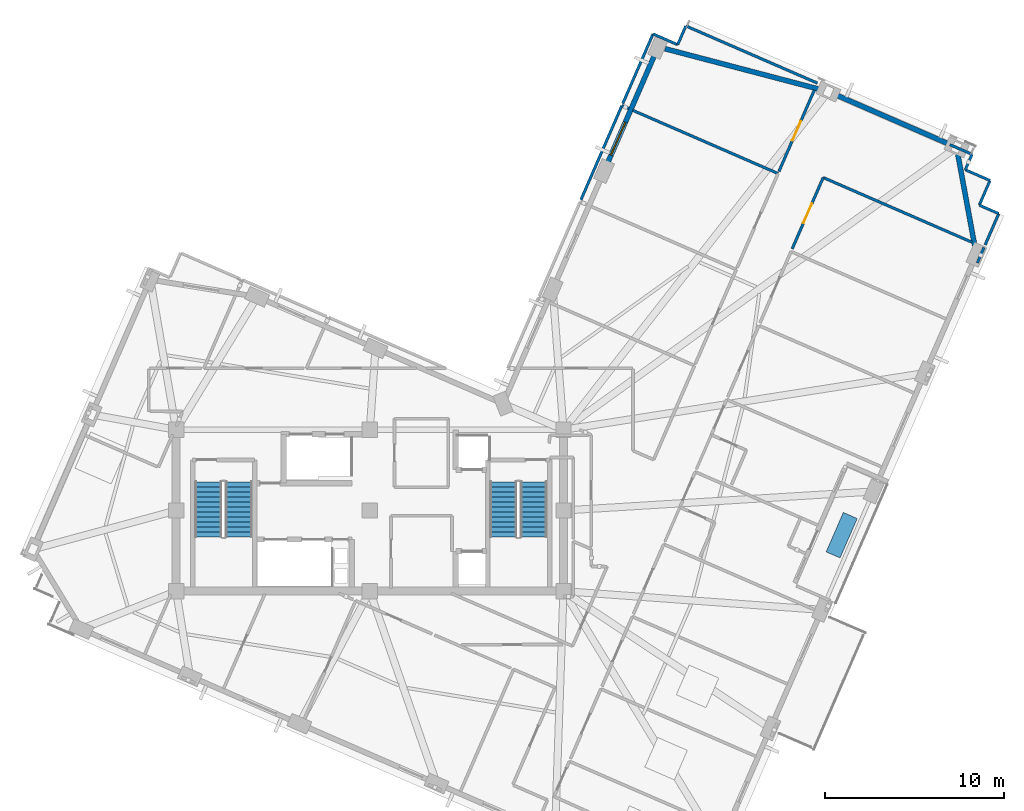
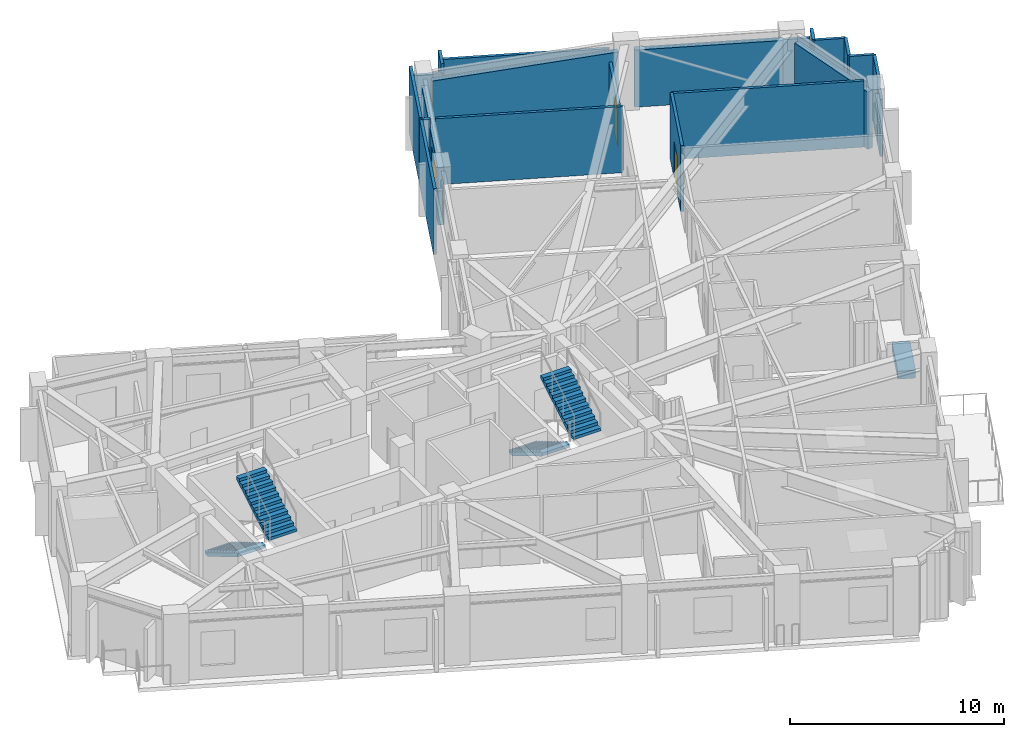
# One storey, part 8 of 11: 21 walls, 4 stair flights, 2 doors, 1 discrete accessory, 1 window, 3 openings, 2 elements without a shape of their own.
"""IFC4 building model written with IfcOpenShell, lengths in metres."""

from ifc_helpers import new_model, si_unit, direction, frame, frame_2d, origin, origin_2d, place, context, subcontext, project, spatial, polyline, rectangle, outline, extrude, material, layer, layer_set, type_object, element, fill, aggregate, save


model = new_model("IFC4")

# Units and contexts
model_context = context("Model", 3, precision=1e-05, world=origin(), true_north=direction((0.0, 1.0)))
body_context = subcontext(model_context, "Body", "Model", "MODEL_VIEW")
ifc_project = project(units=[si_unit("LENGTHUNIT", "METRE"), si_unit("AREAUNIT", "SQUARE_METRE"), si_unit("VOLUMEUNIT", "CUBIC_METRE"), si_unit("PLANEANGLEUNIT", "RADIAN"), si_unit("MASSUNIT", "GRAM", prefix="KILO")], contexts=[model_context])

# Site, building, storey
site_placement = place(None, origin())
site = spatial("IfcSite", under=ifc_project, at=site_placement, CompositionType="ELEMENT")
building_placement = place(site_placement, origin())
building = spatial("IfcBuilding", under=site, at=building_placement, Name="Gaonmaruhae Medical Tower", CompositionType="ELEMENT")
storey_placement = place(building_placement, frame((0.0, 0.0, 324.60009765625)))
storey = spatial("IfcBuildingStorey", under=building, at=storey_placement, Name="L78", CompositionType="ELEMENT", Elevation=324.60009765625)

# Walls
ifc_material_1 = material(Name="Precast concrete C45/55", Category="concrete")
ifc_layer_1 = layer(ifc_material_1, 0.280029296875)
ifc_layer_set_1 = layer_set([ifc_layer_1], Name="Precast concrete C45/55")
wall_type_1 = type_object("IfcWallType", Name="EW-280 Upper Precast Masonry-Frame Facade Wall", PredefinedType="SOLIDWALL", material=ifc_layer_set_1)
wall_1_placement = place(storey_placement, frame((57.597900390625, 32.16162109375, 0.0), z_axis=(0.0, 0.0, 1.0), x_axis=(0.181421889976, -0.983405357845, 0.0)))
element("IfcWall", 1, at=wall_1_placement, inside=storey, type_object=wall_type_1, Name="L78 Precast Masonry-Frame Wall S06-E01", PredefinedType="SOLIDWALL", context=body_context, shape_type="SweptSolid", body=[
    extrude(rectangle(XDim=5.292724609375, YDim=0.280029296875, at=frame_2d((2.646484375, 0.0))), origin(), (0.0, 0.0, 1.0), 3.264892578125),
])
wall_2_placement = place(storey_placement, frame((50.7373046875, 35.50439453125, 0.0), z_axis=(0.0, 0.0, 1.0), x_axis=(0.917057311373, -0.398755423359, 0.0)))
element("IfcWall", 2, at=wall_2_placement, inside=storey, type_object=wall_type_1, Name="L78 Precast Masonry-Frame Wall E01-E02", PredefinedType="SOLIDWALL", context=body_context, shape_type="SweptSolid", body=[
    extrude(rectangle(XDim=7.0048828125, YDim=0.280029296875, at=frame_2d((3.50244140625, 0.0))), origin(), (0.0, 0.0, 1.0), 3.264892578125),
])
wall_3_placement = place(storey_placement, frame((41.263671875, 38.05419921875, 0.0), z_axis=(0.0, 0.0, 1.0), x_axis=(0.967228971308, -0.253905724755, 0.0)))
element("IfcWall", 3, at=wall_3_placement, inside=storey, type_object=wall_type_1, Name="L78 Precast Masonry-Frame Wall E02-E03", PredefinedType="SOLIDWALL", context=body_context, shape_type="SweptSolid", body=[
    extrude(rectangle(XDim=9.020263671875, YDim=0.280029296875, at=frame_2d((4.51025390625, 0.0))), origin(), (0.0, 0.0, 1.0), 3.264892578125),
])

# Wall, opening, window
wall_4_placement = place(storey_placement, frame((38.027099609375, 31.595947265625, 0.0), z_axis=(0.0, 0.0, 1.0), x_axis=(0.398764437463, 0.917053391802, 0.0)))
wall_4 = element("IfcWall", 4, at=wall_4_placement, inside=storey, type_object=wall_type_1, Name="L78 Precast Masonry-Frame Wall E03-EN01", PredefinedType="SOLIDWALL", context=body_context, shape_type="SweptSolid", body=[
    extrude(rectangle(XDim=6.7548828125, YDim=0.280029296875, at=frame_2d((3.37744140625, 0.0))), origin(), (0.0, 0.0, 1.0), 3.264892578125),
])
opening_1_placement = place(wall_4_placement, frame((0.5673828125, 0.0, 0.75)))
opening_1 = element("IfcOpeningElement", 5, at=opening_1_placement, cuts=wall_4, Name="Opening WN-02", PredefinedType="OPENING", context=body_context, shape_type="SweptSolid", body=[
    extrude(rectangle(XDim=2.0, YDim=1.949951171875, at=frame_2d((1.0, 0.97509765625))), frame((0.0, 0.14990234375, 0.0), z_axis=(0.0, -1.0, 0.0), x_axis=(1.0, 0.0, 0.0)), (0.0, 0.0, 1.0), 0.300048828125),
])
ifc_material_2 = material(Name="Anodised aluminium and Low-E double glazing", Category="aluminium")
window_type = type_object("IfcWindowType", Name="WN-02 Double-Bed Ward Punched Window 2000x1950", PartitioningType="SINGLE_PANEL", PredefinedType="WINDOW", material=ifc_material_2)
window_placement = place(opening_1_placement, origin())
window = element("IfcWindow", 6, at=window_placement, inside=storey, type_object=window_type, Name="L78 Modular Facade Window E03", OverallHeight=1.949951171875, OverallWidth=2.0, PartitioningType="SINGLE_PANEL", PredefinedType="WINDOW", context=body_context, shape_type="SweptSolid", body=[
    extrude(rectangle(XDim=2.0, YDim=1.949951171875, at=frame_2d((1.0, 0.97509765625))), frame((0.0, 0.030029296875, 0.0), z_axis=(0.0, -1.0, 0.0), x_axis=(1.0, 0.0, 0.0)), (0.0, 0.0, 1.0), 0.06005859375),
])
fill(opening_1, window)

# Wall, opening, door
ifc_material_3 = material(Name="Gypsum board partition", Category="gypsum")
ifc_layer_2 = layer(ifc_material_3, 0.14990234375)
ifc_layer_set_2 = layer_set([ifc_layer_2], Name="Gypsum board partition")
wall_type_2 = type_object("IfcWallType", Name="PW-150 Rated Clinical Corridor Partition", PredefinedType="PARTITIONING", material=ifc_layer_set_2)
wall_5_placement = place(storey_placement, frame((48.35693359375, 26.888916015625, 0.0), z_axis=(0.0, 0.0, 1.0), x_axis=(0.398639711207, 0.917107616722, 0.0)))
wall_5 = element("IfcWall", 7, at=wall_5_placement, inside=storey, type_object=wall_type_2, Name="L78 Interior Partition L78-SUP06-44", PredefinedType="PARTITIONING", context=body_context, shape_type="SweptSolid", body=[
    extrude(rectangle(XDim=4.339599609375, YDim=0.14990234375, at=frame_2d((2.169921875, 0.0))), origin(), (0.0, 0.0, 1.0), 3.77978515625),
])
opening_2_placement = place(wall_5_placement, frame((1.56982421875, 0.0, 0.0)))
opening_2 = element("IfcOpeningElement", 8, at=opening_2_placement, cuts=wall_5, Name="Opening CD-02", PredefinedType="OPENING", context=body_context, shape_type="SweptSolid", body=[
    extrude(rectangle(XDim=1.199951171875, YDim=2.14990234375, at=frame_2d((0.60009765625, 1.074951171875))), frame((0.0, 0.0849609375, 0.0), z_axis=(0.0, -1.0, 0.0), x_axis=(1.0, 0.0, 0.0)), (0.0, 0.0, 1.0), 0.169921875),
])
ifc_material_4 = material(Name="Antimicrobial laminate timber fire door", Category="wood")
door_type = type_object("IfcDoorType", Name="CD-02 Clinical Treatment & Procedure Door 1200x2150", OperationType="NOTDEFINED", PredefinedType="DOOR", material=ifc_material_4)
door_1_placement = place(opening_2_placement, origin())
door_1 = element("IfcDoor", 9, at=door_1_placement, inside=storey, type_object=door_type, Name="L78 Clinical Biomedical Charting Office Door", OperationType="SINGLE_SWING_LEFT", OverallHeight=2.14990234375, OverallWidth=1.199951171875, PredefinedType="DOOR", context=body_context, shape_type="SweptSolid", body=[
    extrude(rectangle(XDim=1.199951171875, YDim=2.14990234375, at=frame_2d((0.60009765625, 1.074951171875))), frame((0.0, 0.02490234375, 0.0), z_axis=(0.0, -1.0, 0.0), x_axis=(1.0, 0.0, 0.0)), (0.0, 0.0, 1.0), 0.050048828125),
])
fill(opening_2, door_1)

# Walls
wall_6_placement = place(storey_placement, frame((50.0869140625, 30.868896484375, 0.0), z_axis=(0.0, 0.0, 1.0), x_axis=(0.917068340421, -0.398730057805, 0.0)))
element("IfcWall", 10, at=wall_6_placement, inside=storey, type_object=wall_type_2, Name="L78 Interior Partition L78-SUP06-45", PredefinedType="PARTITIONING", context=body_context, shape_type="SweptSolid", body=[
    extrude(rectangle(XDim=9.048583984375, YDim=0.14990234375, at=frame_2d((4.5244140625, 0.0))), origin(), (0.0, 0.0, 1.0), 3.77978515625),
])
wall_7_placement = place(storey_placement, frame((59.055908203125, 26.968994140625, 0.0), z_axis=(0.0, 0.0, 1.0), x_axis=(-0.399259700559, -0.91683787635, 0.0)))
element("IfcWall", 11, at=wall_7_placement, inside=storey, type_object=wall_type_2, Name="L78 Interior Partition L78-SUP06-47", PredefinedType="PARTITIONING", context=body_context, shape_type="SweptSolid", body=[
    extrude(rectangle(XDim=0.936767578125, YDim=0.14990234375, at=frame_2d((0.46826171875, 0.0))), origin(), (0.0, 0.0, 1.0), 3.264892578125),
])
wall_8_placement = place(storey_placement, frame((58.7958984375, 29.3291015625, 0.0), z_axis=(0.0, 0.0, 1.0), x_axis=(0.916839684451, -0.399255548509, 0.0)))
element("IfcWall", 12, at=wall_8_placement, inside=storey, type_object=wall_type_2, Name="L78 Interior Partition L78-BR04-48", PredefinedType="PARTITIONING", context=body_context, shape_type="SweptSolid", body=[
    extrude(rectangle(XDim=1.18017578125, YDim=0.14990234375, at=frame_2d((0.590087890625, 0.0))), origin(), (0.0, 0.0, 1.0), 3.77978515625),
])
wall_9_placement = place(storey_placement, frame((59.8779296875, 28.85791015625, 0.0), z_axis=(0.0, 0.0, 1.0), x_axis=(-0.39892347819, -0.916984219357, 0.0)))
element("IfcWall", 13, at=wall_9_placement, inside=storey, type_object=wall_type_2, Name="L78 Interior Partition L78-BR04-49", PredefinedType="PARTITIONING", context=body_context, shape_type="SweptSolid", body=[
    extrude(rectangle(XDim=1.899658203125, YDim=0.14990234375, at=frame_2d((0.94970703125, 0.0))), origin(), (0.0, 0.0, 1.0), 3.77978515625),
])
wall_10_placement = place(storey_placement, frame((57.156982421875, 32.701904296875, 0.0), z_axis=(0.0, 0.0, 1.0), x_axis=(0.917222637379, -0.398374991032, 0.0)))
element("IfcWall", 14, at=wall_10_placement, inside=storey, type_object=wall_type_2, Name="L78 Interior Partition L78-BR04-53", PredefinedType="PARTITIONING", context=body_context, shape_type="SweptSolid", body=[
    extrude(rectangle(XDim=1.34765625, YDim=0.14990234375, at=frame_2d((0.673828125, 0.0))), origin(), (0.0, 0.0, 1.0), 3.264892578125),
])
wall_11_placement = place(storey_placement, frame((58.39306640625, 32.1650390625, 0.0), z_axis=(0.0, 0.0, 1.0), x_axis=(-0.39889703488, -0.916995722762, 0.0)))
element("IfcWall", 15, at=wall_11_placement, inside=storey, type_object=wall_type_2, Name="L78 Interior Partition L78-BR04-54", PredefinedType="PARTITIONING", context=body_context, shape_type="SweptSolid", body=[
    extrude(rectangle(XDim=0.940185546875, YDim=0.14990234375, at=frame_2d((0.47021484375, 0.0))), origin(), (0.0, 0.0, 1.0), 3.77978515625),
])
wall_12_placement = place(storey_placement, frame((58.01806640625, 31.302978515625, 0.0), z_axis=(0.0, 0.0, 1.0), x_axis=(0.91691738696, -0.399077067107, 0.0)))
element("IfcWall", 16, at=wall_12_placement, inside=storey, type_object=wall_type_2, Name="L78 Interior Partition L78-BR04-55", PredefinedType="PARTITIONING", context=body_context, shape_type="SweptSolid", body=[
    extrude(rectangle(XDim=1.500732421875, YDim=0.14990234375, at=frame_2d((0.75048828125, 0.0))), origin(), (0.0, 0.0, 1.0), 3.77978515625),
])
wall_13_placement = place(storey_placement, frame((59.39404296875, 30.7041015625, 0.0), z_axis=(0.0, 0.0, 1.0), x_axis=(-0.398904712107, -0.916992383097, 0.0)))
element("IfcWall", 17, at=wall_13_placement, inside=storey, type_object=wall_type_2, Name="L78 Interior Partition L78-BR04-56", PredefinedType="PARTITIONING", context=body_context, shape_type="SweptSolid", body=[
    extrude(rectangle(XDim=1.49951171875, YDim=0.14990234375, at=frame_2d((0.749755859375, 0.0))), origin(), (0.0, 0.0, 1.0), 3.77978515625),
])
wall_14_placement = place(storey_placement, frame((36.574951171875, 29.635986328125, 0.0), z_axis=(0.0, 0.0, 1.0), x_axis=(0.398677741034, 0.917091085337, 0.0)))
element("IfcWall", 18, at=wall_14_placement, inside=storey, type_object=wall_type_2, Name="L78 Interior Partition L78-IE05-101", PredefinedType="PARTITIONING", context=body_context, shape_type="SweptSolid", body=[
    extrude(rectangle(XDim=5.721435546875, YDim=0.14990234375, at=frame_2d((2.86083984375, 0.0))), origin(), (0.0, 0.0, 1.0), 3.77978515625),
])
wall_15_placement = place(storey_placement, frame((38.85595703125, 34.883056640625, 0.0), z_axis=(0.0, 0.0, 1.0), x_axis=(0.916543116757, -0.399935888769, 0.0)))
element("IfcWall", 19, at=wall_15_placement, inside=storey, type_object=wall_type_2, Name="L78 Interior Partition L78-IE05-102", PredefinedType="PARTITIONING", context=body_context, shape_type="SweptSolid", body=[
    extrude(rectangle(XDim=0.435302734375, YDim=0.14990234375, at=frame_2d((0.2177734375, 0.0))), origin(), (0.0, 0.0, 1.0), 3.77978515625),
])
wall_16_placement = place(storey_placement, frame((39.466064453125, 34.617919921875, 0.0), z_axis=(0.0, 0.0, 1.0), x_axis=(0.917056875857, -0.398756424957, 0.0)))
element("IfcWall", 20, at=wall_16_placement, inside=storey, type_object=wall_type_2, Name="L78 Interior Partition L78-IE05-103", PredefinedType="PARTITIONING", context=body_context, shape_type="SweptSolid", body=[
    extrude(rectangle(XDim=8.8349609375, YDim=0.14990234375, at=frame_2d((4.41748046875, 0.0))), origin(), (0.0, 0.0, 1.0), 3.77978515625),
])
wall_17_placement = place(storey_placement, frame((41.969970703125, 38.281005859375, 0.0), z_axis=(0.0, 0.0, 1.0), x_axis=(0.398569395059, 0.917138177878, 0.0)))
element("IfcWall", 21, at=wall_17_placement, inside=storey, type_object=wall_type_2, Name="L78 Interior Partition L78-IE06-104", PredefinedType="PARTITIONING", context=body_context, shape_type="SweptSolid", body=[
    extrude(rectangle(XDim=1.139404296875, YDim=0.14990234375, at=frame_2d((0.56982421875, 0.0))), origin(), (0.0, 0.0, 1.0), 3.77978515625),
])
wall_18_placement = place(storey_placement, frame((42.424072265625, 39.325927734375, 0.0), z_axis=(0.0, 0.0, 1.0), x_axis=(0.917071026557, -0.398723879708, 0.0)))
element("IfcWall", 22, at=wall_18_placement, inside=storey, type_object=wall_type_2, Name="L78 Interior Partition L78-IE06-105", PredefinedType="PARTITIONING", context=body_context, shape_type="SweptSolid", body=[
    extrude(rectangle(XDim=8.00048828125, YDim=0.14990234375, at=frame_2d((4.000244140625, 0.0))), origin(), (0.0, 0.0, 1.0), 3.264892578125),
])

# Wall, opening, door
wall_19_placement = place(storey_placement, frame((49.593017578125, 35.7490234375, 0.0), z_axis=(0.0, 0.0, 1.0), x_axis=(-0.398967500085, -0.916965066879, 0.0)))
wall_19 = element("IfcWall", 23, at=wall_19_placement, inside=storey, type_object=wall_type_2, Name="L78 Interior Partition L78-IE06-106", PredefinedType="PARTITIONING", context=body_context, shape_type="SweptSolid", body=[
    extrude(rectangle(XDim=4.955322265625, YDim=0.14990234375, at=frame_2d((2.4775390625, 0.0))), origin(), (0.0, 0.0, 1.0), 2.764892578125),
])
opening_3_placement = place(wall_19_placement, frame((1.877685546875, 0.0, 0.0)))
opening_3 = element("IfcOpeningElement", 24, at=opening_3_placement, cuts=wall_19, Name="Opening CD-02", PredefinedType="OPENING", context=body_context, shape_type="SweptSolid", body=[
    extrude(rectangle(XDim=1.199951171875, YDim=2.14990234375, at=frame_2d((0.60009765625, 1.074951171875))), frame((0.0, 0.0849609375, 0.0), z_axis=(0.0, -1.0, 0.0), x_axis=(1.0, 0.0, 0.0)), (0.0, 0.0, 1.0), 0.169921875),
])
door_2_placement = place(opening_3_placement, origin())
door_2 = element("IfcDoor", 25, at=door_2_placement, inside=storey, type_object=door_type, Name="L78 Multidisciplinary Clinical Consultation Room Door", OperationType="SINGLE_SWING_LEFT", OverallHeight=2.14990234375, OverallWidth=1.199951171875, PredefinedType="DOOR", context=body_context, shape_type="SweptSolid", body=[
    extrude(rectangle(XDim=1.199951171875, YDim=2.14990234375, at=frame_2d((0.60009765625, 1.074951171875))), frame((0.0, 0.02490234375, 0.0), z_axis=(0.0, -1.0, 0.0), x_axis=(1.0, 0.0, 0.0)), (0.0, 0.0, 1.0), 0.050048828125),
])
fill(opening_3, door_2)

# Walls
wall_20_placement = place(storey_placement, frame((38.904052734375, 34.992919921875, 0.0), z_axis=(0.0, 0.0, 1.0), x_axis=(0.398801951282, 0.917037078669, 0.0)))
element("IfcWall", 26, at=wall_20_placement, inside=storey, type_object=wall_type_2, Name="L78 Interior Partition L78-IE06-107", PredefinedType="PARTITIONING", context=body_context, shape_type="SweptSolid", body=[
    extrude(rectangle(XDim=4.237548828125, YDim=0.14990234375, at=frame_2d((2.11865234375, 0.0))), origin(), (0.0, 0.0, 1.0), 3.77978515625),
])
wall_21_placement = place(storey_placement, frame((40.593994140625, 38.87890625, 0.0), z_axis=(0.0, 0.0, 1.0), x_axis=(0.91715541112, -0.398529737728, 0.0)))
element("IfcWall", 27, at=wall_21_placement, inside=storey, type_object=wall_type_2, Name="L78 Interior Partition L78-IE06-108", PredefinedType="PARTITIONING", context=body_context, shape_type="SweptSolid", body=[
    extrude(rectangle(XDim=1.500244140625, YDim=0.14990234375, at=frame_2d((0.75, 0.0))), origin(), (0.0, 0.0, 1.0), 3.264892578125),
])

# Stair, stair flights
ifc_material_5 = material(Name="Concrete C40/50", Category="concrete")
stair_type = type_object("IfcStairType", Name="ST-T1 Primary Core Escape Dogleg Stair", PredefinedType="TWO_QUARTER_TURN_STAIR", material=ifc_material_5)
stair_1_placement = place(storey_placement, origin())
stair_1 = element("IfcStair", 28, at=stair_1_placement, inside=storey, type_object=stair_type, Name="L78 Protected Escape Stair ST-01", PredefinedType="TWO_QUARTER_TURN_STAIR")
stair_flight_type = type_object("IfcStairFlightType", Name="SF-T1 Primary Core Precast Stair Flight", PredefinedType="STRAIGHT", material=ifc_material_5)
stair_flight_1_placement = place(storey_placement, frame((15.800048828125, 13.89990234375, 0.0), z_axis=(0.0, 0.0, 1.0), x_axis=(0.0, -1.0, 0.0)))
stair_flight_1 = element("IfcStairFlight", 29, at=stair_flight_1_placement, type_object=stair_flight_type, Name="ST-01 flight 1", NumberOfRisers=12, NumberOfTreads=11, PredefinedType="STRAIGHT", RiserHeight=0.166666667, TreadLength=0.28, context=body_context, shape_type="SweptSolid", body=[
    extrude(outline(polyline([(0.0, 0.0), (0.0, 0.166748046875), (0.280029296875, 0.166748046875), (0.280029296875, 0.333251953125), (0.56005859375, 0.333251953125), (0.56005859375, 0.5), (0.840087890625, 0.5), (0.840087890625, 0.666748046875), (1.1201171875, 0.666748046875), (1.1201171875, 0.833251953125), (1.39990234375, 0.833251953125), (1.39990234375, 1.0), (1.679931640625, 1.0), (1.679931640625, 1.166748046875), (1.9599609375, 1.166748046875), (1.9599609375, 1.333251953125), (2.239990234375, 1.333251953125), (2.239990234375, 1.5), (2.52001953125, 1.5), (2.52001953125, 1.666748046875), (2.800048828125, 1.666748046875), (2.800048828125, 1.833251953125), (3.080078125, 1.833251953125), (3.080078125, 2.0), (3.080078125, 1.658935546875), (0.29296875, 0.0), (0.0, 0.0)])), frame((0.0, 0.75, 0.0), z_axis=(0.0, -1.0, 0.0), x_axis=(1.0, 0.0, 0.0)), (0.0, 0.0, 1.0), 1.5),
])
stair_flight_2_placement = place(storey_placement, frame((17.5, 10.820068359375, 2.0), z_axis=(0.0, 0.0, 1.0), x_axis=(0.0, 1.0, 0.0)))
stair_flight_2 = element("IfcStairFlight", 30, at=stair_flight_2_placement, type_object=stair_flight_type, Name="ST-01 flight 2", NumberOfRisers=12, NumberOfTreads=11, PredefinedType="STRAIGHT", RiserHeight=0.166666667, TreadLength=0.28, context=body_context, shape_type="SweptSolid", body=[
    extrude(outline(polyline([(0.0, 0.0), (0.0, 0.166748046875), (0.280029296875, 0.166748046875), (0.280029296875, 0.333251953125), (0.56005859375, 0.333251953125), (0.56005859375, 0.5), (0.840087890625, 0.5), (0.840087890625, 0.666748046875), (1.1201171875, 0.666748046875), (1.1201171875, 0.833251953125), (1.39990234375, 0.833251953125), (1.39990234375, 1.0), (1.679931640625, 1.0), (1.679931640625, 1.166748046875), (1.9599609375, 1.166748046875), (1.9599609375, 1.333251953125), (2.239990234375, 1.333251953125), (2.239990234375, 1.5), (2.52001953125, 1.5), (2.52001953125, 1.666748046875), (2.800048828125, 1.666748046875), (2.800048828125, 1.833251953125), (3.080078125, 1.833251953125), (3.080078125, 2.0), (3.080078125, 1.658935546875), (0.29296875, 0.0), (0.0, 0.0)])), frame((0.0, 0.75, 0.0), z_axis=(0.0, -1.0, 0.0), x_axis=(1.0, 0.0, 0.0)), (0.0, 0.0, 1.0), 1.5),
])
aggregate(stair_1, [stair_flight_1, stair_flight_2])

stair_2_placement = place(storey_placement, origin())
stair_2 = element("IfcStair", 31, at=stair_2_placement, inside=storey, type_object=stair_type, Name="L78 Protected Escape Stair ST-02", PredefinedType="TWO_QUARTER_TURN_STAIR")
stair_flight_3_placement = place(storey_placement, frame((32.25, 13.89990234375, 0.0), z_axis=(0.0, 0.0, 1.0), x_axis=(0.0, -1.0, 0.0)))
stair_flight_3 = element("IfcStairFlight", 32, at=stair_flight_3_placement, type_object=stair_flight_type, Name="ST-02 flight 1", NumberOfRisers=12, NumberOfTreads=11, PredefinedType="STRAIGHT", RiserHeight=0.166666667, TreadLength=0.28, context=body_context, shape_type="SweptSolid", body=[
    extrude(outline(polyline([(0.0, 0.0), (0.0, 0.166748046875), (0.280029296875, 0.166748046875), (0.280029296875, 0.333251953125), (0.56005859375, 0.333251953125), (0.56005859375, 0.5), (0.840087890625, 0.5), (0.840087890625, 0.666748046875), (1.1201171875, 0.666748046875), (1.1201171875, 0.833251953125), (1.39990234375, 0.833251953125), (1.39990234375, 1.0), (1.679931640625, 1.0), (1.679931640625, 1.166748046875), (1.9599609375, 1.166748046875), (1.9599609375, 1.333251953125), (2.239990234375, 1.333251953125), (2.239990234375, 1.5), (2.52001953125, 1.5), (2.52001953125, 1.666748046875), (2.800048828125, 1.666748046875), (2.800048828125, 1.833251953125), (3.080078125, 1.833251953125), (3.080078125, 2.0), (3.080078125, 1.658935546875), (0.29296875, 0.0), (0.0, 0.0)])), frame((0.0, 0.75, 0.0), z_axis=(0.0, -1.0, 0.0), x_axis=(1.0, 0.0, 0.0)), (0.0, 0.0, 1.0), 1.5),
])
stair_flight_4_placement = place(storey_placement, frame((33.949951171875, 10.820068359375, 2.0), z_axis=(0.0, 0.0, 1.0), x_axis=(0.0, 1.0, 0.0)))
stair_flight_4 = element("IfcStairFlight", 33, at=stair_flight_4_placement, type_object=stair_flight_type, Name="ST-02 flight 2", NumberOfRisers=12, NumberOfTreads=11, PredefinedType="STRAIGHT", RiserHeight=0.166666667, TreadLength=0.28, context=body_context, shape_type="SweptSolid", body=[
    extrude(outline(polyline([(0.0, 0.0), (0.0, 0.166748046875), (0.280029296875, 0.166748046875), (0.280029296875, 0.333251953125), (0.56005859375, 0.333251953125), (0.56005859375, 0.5), (0.840087890625, 0.5), (0.840087890625, 0.666748046875), (1.1201171875, 0.666748046875), (1.1201171875, 0.833251953125), (1.39990234375, 0.833251953125), (1.39990234375, 1.0), (1.679931640625, 1.0), (1.679931640625, 1.166748046875), (1.9599609375, 1.166748046875), (1.9599609375, 1.333251953125), (2.239990234375, 1.333251953125), (2.239990234375, 1.5), (2.52001953125, 1.5), (2.52001953125, 1.666748046875), (2.800048828125, 1.666748046875), (2.800048828125, 1.833251953125), (3.080078125, 1.833251953125), (3.080078125, 2.0), (3.080078125, 1.658935546875), (0.29296875, 0.0), (0.0, 0.0)])), frame((0.0, 0.75, 0.0), z_axis=(0.0, -1.0, 0.0), x_axis=(1.0, 0.0, 0.0)), (0.0, 0.0, 1.0), 1.5),
])
aggregate(stair_2, [stair_flight_3, stair_flight_4])

# Discrete accessory
discrete_accessory_type = type_object("IfcDiscreteAccessoryType", Name="PLN-01 Sky Garden Precast Botanical Planter", PredefinedType="USERDEFINED", material=ifc_material_1)
discrete_accessory_placement = place(storey_placement, frame((51.118896484375, 10.92138671875, 0.0), z_axis=(0.0, 0.0, 1.0), x_axis=(0.398749068925, 0.917060074385, 0.0)))
element("IfcDiscreteAccessory", 34, at=discrete_accessory_placement, inside=storey, type_object=discrete_accessory_type, Name="L78 Sky Garden Botanical Planter SLB-L78-TER", ObjectType="PLANTER", PredefinedType="USERDEFINED", context=body_context, shape_type="SweptSolid", body=[
    extrude(rectangle(XDim=2.39990234375, YDim=0.85009765625, at=origin_2d()), origin(), (0.0, 0.0, 1.0), 0.449951171875),
])

save(model, "model.ifc")
